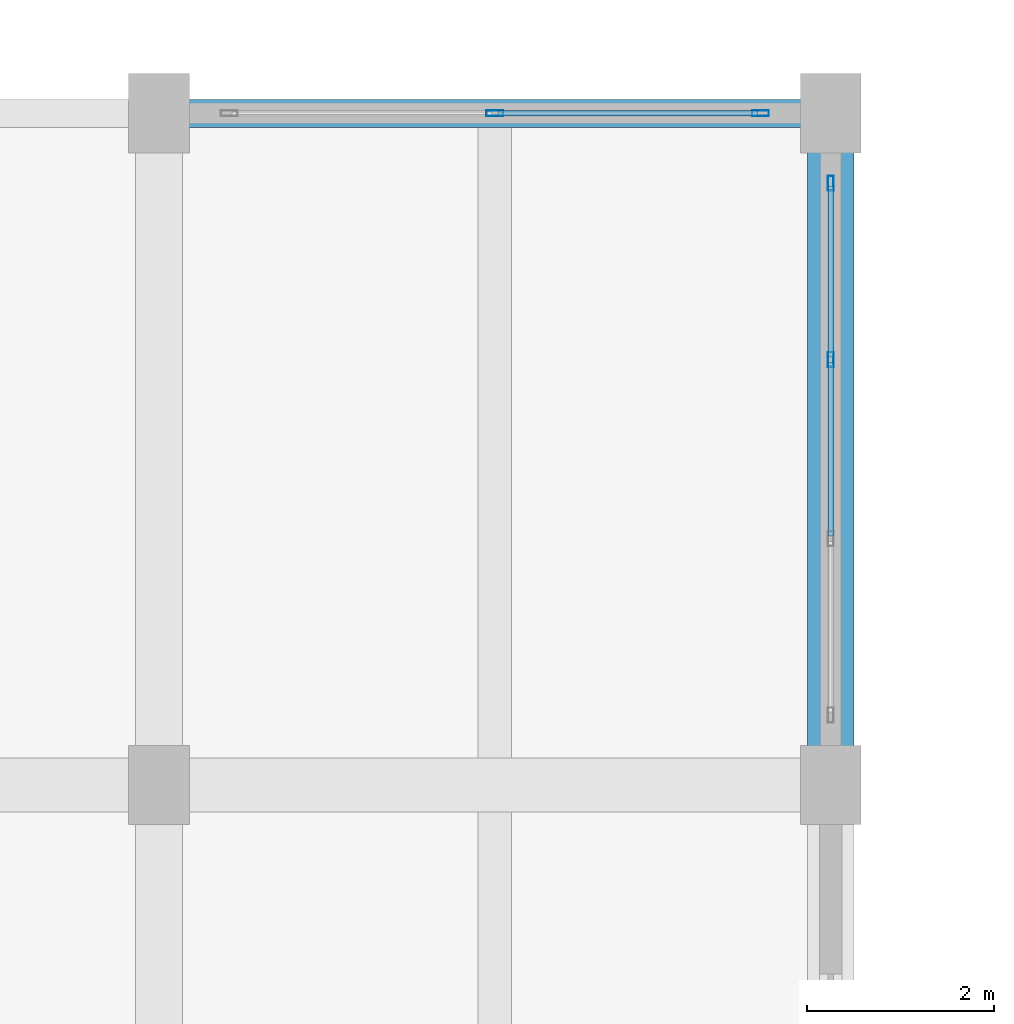
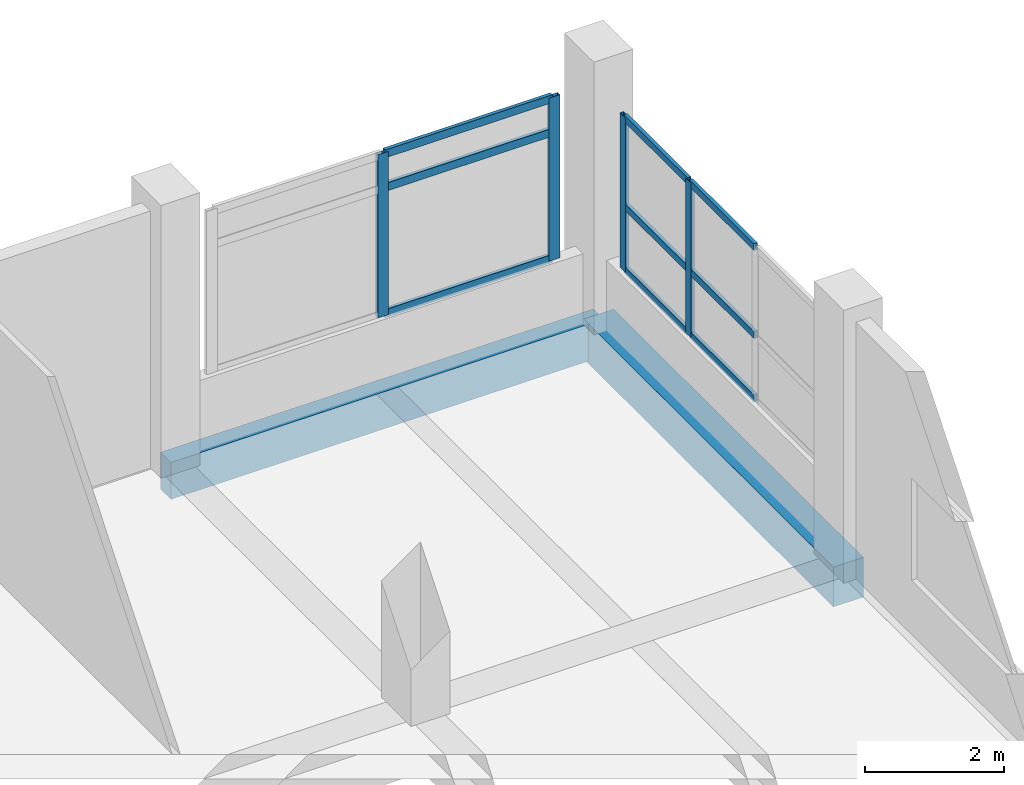
# One storey, part 110 of 140: 13 members, 2 beams, 2 elements without a shape of their own.
"""IFC4 building model written with IfcOpenShell, lengths in metres."""

from ifc_helpers import new_model, si_unit, direction, frame, origin, origin_2d, place, context, subcontext, project, spatial, rectangle, hollow_rectangle, extrude, material, layer, layer_set, material_profile, profile_set, type_object, element, aggregate, save


model = new_model("IFC4")

# Units and contexts
model_context = context("Model", 3, precision=1e-05, world=origin(), true_north=direction((0.0, 1.0)))
body_context = subcontext(model_context, "Body", "Model", "MODEL_VIEW")
ifc_project = project(units=[si_unit("LENGTHUNIT", "METRE"), si_unit("AREAUNIT", "SQUARE_METRE"), si_unit("VOLUMEUNIT", "CUBIC_METRE"), si_unit("PLANEANGLEUNIT", "RADIAN"), si_unit("MASSUNIT", "GRAM", prefix="KILO")], contexts=[model_context])

# Site, building, storey
site_placement = place(None, origin())
site = spatial("IfcSite", under=ifc_project, at=site_placement, CompositionType="ELEMENT")
building_placement = place(site_placement, origin())
building = spatial("IfcBuilding", under=site, at=building_placement, Name="Seraya Terrace Polytechnic", CompositionType="ELEMENT")
storey_placement = place(building_placement, frame((0.0, 0.0, 9.60009765625)))
storey = spatial("IfcBuildingStorey", under=building, at=storey_placement, Name="L02", CompositionType="ELEMENT", Elevation=9.60009765625)

# Beam
ifc_material_1 = material(Name="Concrete C40/50", Category="concrete")
ifc_material_profile_1 = material_profile(ifc_material_1, rectangle(XDim=0.5, YDim=0.699951171875, at=origin_2d()), Name="RC 500x700")
ifc_profile_set_1 = profile_set([ifc_material_profile_1], Name="Concrete C40/50")
beam_type_1 = type_object("IfcBeamType", Name="BM-07", PredefinedType="BEAM", material=ifc_profile_set_1)
beam_1_placement = place(storey_placement, frame((158.39990234375, 108.0, -0.35009765625), z_axis=(0.0, 1.0, 0.0), x_axis=(-1.0, 0.0, 0.0)))
element("IfcBeam", 1, at=beam_1_placement, inside=storey, type_object=beam_type_1, Name="Beam BM-07 L02 Y (158.4, 108.0..115.2)", PredefinedType="BEAM", context=body_context, shape_type="SweptSolid", body=[
    extrude(rectangle(XDim=0.5, YDim=0.699951171875, at=origin_2d()), origin(), (0.0, 0.0, 1.0), 7.199951171875),
])

# Curtain wall, members
ifc_material_2 = material(Name="Anodised aluminium EN AW-6063 T6", Category="aluminium")
ifc_layer_1 = layer(ifc_material_2, 0.179931640625, Name="CW-25")
ifc_layer_set_1 = layer_set([ifc_layer_1], Name="Anodised aluminium EN AW-6063 T6")
curtain_wall_type_1 = type_object("IfcCurtainWallType", Name="CW-25", PredefinedType="NOTDEFINED", material=ifc_layer_set_1)
curtain_wall_1_placement = place(storey_placement, origin())
curtain_wall_1 = element("IfcCurtainWall", 2, at=curtain_wall_1_placement, inside=storey, type_object=curtain_wall_type_1, Name="Unitised curtain wall CW-25 (CW-L02-097)", PredefinedType="NOTDEFINED")
ifc_material_profile_2 = material_profile(ifc_material_2, hollow_rectangle(XDim=0.06494140625, YDim=0.179931640625, WallThickness=0.00390625, at=origin_2d()), Name="RHS 180x65x4.0")
ifc_profile_set_2 = profile_set([ifc_material_profile_2], Name="Anodised aluminium EN AW-6063 T6")
member_type_1 = type_object("IfcMemberType", Name="CWM-01", PredefinedType="MULLION", material=ifc_profile_set_2)
member_1_placement = place(storey_placement, frame((154.800048828125, 115.199951171875, 1.239990234375), z_axis=(0.0, 0.0, 1.0), x_axis=(0.0, 1.0, 0.0)))
member_1 = element("IfcMember", 3, at=member_1_placement, type_object=member_type_1, Name="CW-25 mullion 2", PredefinedType="MULLION", context=body_context, shape_type="SweptSolid", body=[
    extrude(hollow_rectangle(XDim=0.06494140625, YDim=0.179931640625, WallThickness=0.00390625, at=origin_2d()), origin(), (0.0, 0.0, 1.0), 2.869873046875),
])
member_2_placement = place(storey_placement, frame((157.6474609375, 115.199951171875, 1.239990234375), z_axis=(0.0, 0.0, 1.0), x_axis=(0.0, 1.0, 0.0)))
member_2 = element("IfcMember", 4, at=member_2_placement, type_object=member_type_1, Name="CW-25 mullion 3", PredefinedType="MULLION", context=body_context, shape_type="SweptSolid", body=[
    extrude(hollow_rectangle(XDim=0.06494140625, YDim=0.179931640625, WallThickness=0.00390625, at=origin_2d()), origin(), (0.0, 0.0, 1.0), 2.869873046875),
])

ifc_layer_2 = layer(ifc_material_2, 0.179931640625, Name="CW-17")
ifc_layer_set_2 = layer_set([ifc_layer_2], Name="Anodised aluminium EN AW-6063 T6")
curtain_wall_type_2 = type_object("IfcCurtainWallType", Name="CW-17", PredefinedType="NOTDEFINED", material=ifc_layer_set_2)
curtain_wall_2_placement = place(storey_placement, origin())
curtain_wall_2 = element("IfcCurtainWall", 5, at=curtain_wall_2_placement, inside=storey, type_object=curtain_wall_type_2, Name="Unitised curtain wall CW-17 (CW-L02-089)", PredefinedType="NOTDEFINED")
ifc_material_profile_3 = material_profile(ifc_material_2, hollow_rectangle(XDim=0.06005859375, YDim=0.159912109375, WallThickness=0.00341796875, at=origin_2d()), Name="RHS 160x60x3.5")
ifc_profile_set_3 = profile_set([ifc_material_profile_3], Name="Anodised aluminium EN AW-6063 T6")
member_type_2 = type_object("IfcMemberType", Name="CWM-02", PredefinedType="MULLION", material=ifc_profile_set_3)
member_3_placement = place(storey_placement, frame((158.39990234375, 114.449951171875, 1.239990234375), z_axis=(0.0, 0.0, 1.0), x_axis=(1.0, 0.0, 0.0)))
member_3 = element("IfcMember", 6, at=member_3_placement, type_object=member_type_2, Name="CW-17 mullion 1", PredefinedType="MULLION", context=body_context, shape_type="SweptSolid", body=[
    extrude(hollow_rectangle(XDim=0.06005859375, YDim=0.159912109375, WallThickness=0.00341796875, at=origin_2d()), origin(), (0.0, 0.0, 1.0), 2.719970703125),
])
member_4_placement = place(storey_placement, frame((158.39990234375, 112.56005859375, 1.239990234375), z_axis=(0.0, 0.0, 1.0), x_axis=(1.0, 0.0, 0.0)))
member_4 = element("IfcMember", 7, at=member_4_placement, type_object=member_type_2, Name="CW-17 mullion 2", PredefinedType="MULLION", context=body_context, shape_type="SweptSolid", body=[
    extrude(hollow_rectangle(XDim=0.06005859375, YDim=0.159912109375, WallThickness=0.00341796875, at=origin_2d()), origin(), (0.0, 0.0, 1.0), 2.719970703125),
])

# Member
ifc_material_profile_4 = material_profile(ifc_material_2, hollow_rectangle(XDim=0.06005859375, YDim=0.139892578125, WallThickness=0.00341796875, at=origin_2d()), Name="RHS 140x60x3.5")
ifc_profile_set_4 = profile_set([ifc_material_profile_4], Name="Anodised aluminium EN AW-6063 T6")
member_type_3 = type_object("IfcMemberType", Name="CWT-01", PredefinedType="USERDEFINED", material=ifc_profile_set_4)
member_5_placement = place(storey_placement, frame((154.83251953125, 115.199951171875, 1.27001953125), z_axis=(1.0, 0.0, 0.0), x_axis=(0.0, 1.0, 0.0)))
member_5 = element("IfcMember", 8, at=member_5_placement, type_object=member_type_3, Name="CW-25 transom 2.1", ObjectType="TRANSOM", PredefinedType="USERDEFINED", context=body_context, shape_type="SweptSolid", body=[
    extrude(hollow_rectangle(XDim=0.06005859375, YDim=0.139892578125, WallThickness=0.00341796875, at=origin_2d()), origin(), (0.0, 0.0, 1.0), 2.782470703125),
])

member_6_placement = place(storey_placement, frame((154.83251953125, 115.199951171875, 3.489990234375), z_axis=(1.0, 0.0, 0.0), x_axis=(0.0, 1.0, 0.0)))
member_6 = element("IfcMember", 9, at=member_6_placement, type_object=member_type_3, Name="CW-25 transom 2.2", ObjectType="TRANSOM", PredefinedType="USERDEFINED", context=body_context, shape_type="SweptSolid", body=[
    extrude(hollow_rectangle(XDim=0.06005859375, YDim=0.139892578125, WallThickness=0.00341796875, at=origin_2d()), origin(), (0.0, 0.0, 1.0), 2.782470703125),
])

member_7_placement = place(storey_placement, frame((154.83251953125, 115.199951171875, 4.079833984375), z_axis=(1.0, 0.0, 0.0), x_axis=(0.0, 1.0, 0.0)))
member_7 = element("IfcMember", 10, at=member_7_placement, type_object=member_type_3, Name="CW-25 transom 2.3", ObjectType="TRANSOM", PredefinedType="USERDEFINED", context=body_context, shape_type="SweptSolid", body=[
    extrude(hollow_rectangle(XDim=0.06005859375, YDim=0.139892578125, WallThickness=0.00341796875, at=origin_2d()), origin(), (0.0, 0.0, 1.0), 2.782470703125),
])

aggregate(curtain_wall_1, [member_1, member_2, member_5, member_6, member_7])

ifc_material_profile_5 = material_profile(ifc_material_2, hollow_rectangle(XDim=0.06005859375, YDim=0.1201171875, WallThickness=0.003173828125, at=origin_2d()), Name="RHS 120x60x3.2")
ifc_profile_set_5 = profile_set([ifc_material_profile_5], Name="Anodised aluminium EN AW-6063 T6")
member_type_4 = type_object("IfcMemberType", Name="CWT-02", PredefinedType="USERDEFINED", material=ifc_profile_set_5)
member_8_placement = place(storey_placement, frame((158.39990234375, 114.419921875, 1.27001953125), z_axis=(0.0, -1.0, 0.0), x_axis=(1.0, 0.0, 0.0)))
member_8 = element("IfcMember", 11, at=member_8_placement, type_object=member_type_4, Name="CW-17 transom 1.1", ObjectType="TRANSOM", PredefinedType="USERDEFINED", context=body_context, shape_type="SweptSolid", body=[
    extrude(hollow_rectangle(XDim=0.06005859375, YDim=0.1201171875, WallThickness=0.003173828125, at=origin_2d()), origin(), (0.0, 0.0, 1.0), 1.829833984375),
])

member_9_placement = place(storey_placement, frame((158.39990234375, 114.419921875, 2.38232421875), z_axis=(0.0, -1.0, 0.0), x_axis=(1.0, 0.0, 0.0)))
member_9 = element("IfcMember", 12, at=member_9_placement, type_object=member_type_4, Name="CW-17 transom 1.2", ObjectType="TRANSOM", PredefinedType="USERDEFINED", context=body_context, shape_type="SweptSolid", body=[
    extrude(hollow_rectangle(XDim=0.06005859375, YDim=0.1201171875, WallThickness=0.003173828125, at=origin_2d()), origin(), (0.0, 0.0, 1.0), 1.829833984375),
])

member_10_placement = place(storey_placement, frame((158.39990234375, 114.419921875, 3.929931640625), z_axis=(0.0, -1.0, 0.0), x_axis=(1.0, 0.0, 0.0)))
member_10 = element("IfcMember", 13, at=member_10_placement, type_object=member_type_4, Name="CW-17 transom 1.3", ObjectType="TRANSOM", PredefinedType="USERDEFINED", context=body_context, shape_type="SweptSolid", body=[
    extrude(hollow_rectangle(XDim=0.06005859375, YDim=0.1201171875, WallThickness=0.003173828125, at=origin_2d()), origin(), (0.0, 0.0, 1.0), 1.829833984375),
])

member_11_placement = place(storey_placement, frame((158.39990234375, 112.530029296875, 1.27001953125), z_axis=(0.0, -1.0, 0.0), x_axis=(1.0, 0.0, 0.0)))
member_11 = element("IfcMember", 14, at=member_11_placement, type_object=member_type_4, Name="CW-17 transom 2.1", ObjectType="TRANSOM", PredefinedType="USERDEFINED", context=body_context, shape_type="SweptSolid", body=[
    extrude(hollow_rectangle(XDim=0.06005859375, YDim=0.1201171875, WallThickness=0.003173828125, at=origin_2d()), origin(), (0.0, 0.0, 1.0), 1.860107421875),
])

member_12_placement = place(storey_placement, frame((158.39990234375, 112.530029296875, 2.38232421875), z_axis=(0.0, -1.0, 0.0), x_axis=(1.0, 0.0, 0.0)))
member_12 = element("IfcMember", 15, at=member_12_placement, type_object=member_type_4, Name="CW-17 transom 2.2", ObjectType="TRANSOM", PredefinedType="USERDEFINED", context=body_context, shape_type="SweptSolid", body=[
    extrude(hollow_rectangle(XDim=0.06005859375, YDim=0.1201171875, WallThickness=0.003173828125, at=origin_2d()), origin(), (0.0, 0.0, 1.0), 1.860107421875),
])

member_13_placement = place(storey_placement, frame((158.39990234375, 112.530029296875, 3.929931640625), z_axis=(0.0, -1.0, 0.0), x_axis=(1.0, 0.0, 0.0)))
member_13 = element("IfcMember", 16, at=member_13_placement, type_object=member_type_4, Name="CW-17 transom 2.3", ObjectType="TRANSOM", PredefinedType="USERDEFINED", context=body_context, shape_type="SweptSolid", body=[
    extrude(hollow_rectangle(XDim=0.06005859375, YDim=0.1201171875, WallThickness=0.003173828125, at=origin_2d()), origin(), (0.0, 0.0, 1.0), 1.860107421875),
])

aggregate(curtain_wall_2, [member_3, member_4, member_8, member_9, member_10, member_11, member_12, member_13])

# Beam
ifc_material_profile_6 = material_profile(ifc_material_1, rectangle(XDim=0.300048828125, YDim=0.64990234375, at=origin_2d()), Name="RC 300x650")
ifc_profile_set_6 = profile_set([ifc_material_profile_6], Name="Concrete C40/50")
beam_type_2 = type_object("IfcBeamType", Name="SP-01", PredefinedType="SPANDREL", material=ifc_profile_set_6)
beam_2_placement = place(storey_placement, frame((151.199951171875, 115.199951171875, -0.3251953125), z_axis=(1.0, 0.0, 0.0), x_axis=(0.0, 1.0, 0.0)))
element("IfcBeam", 17, at=beam_2_placement, inside=storey, type_object=beam_type_2, Name="Beam SP-01 L02 X (151.2..158.4, 115.2)", PredefinedType="SPANDREL", context=body_context, shape_type="SweptSolid", body=[
    extrude(rectangle(XDim=0.300048828125, YDim=0.64990234375, at=origin_2d()), origin(), (0.0, 0.0, 1.0), 7.199951171875),
])

save(model, "model.ifc")
